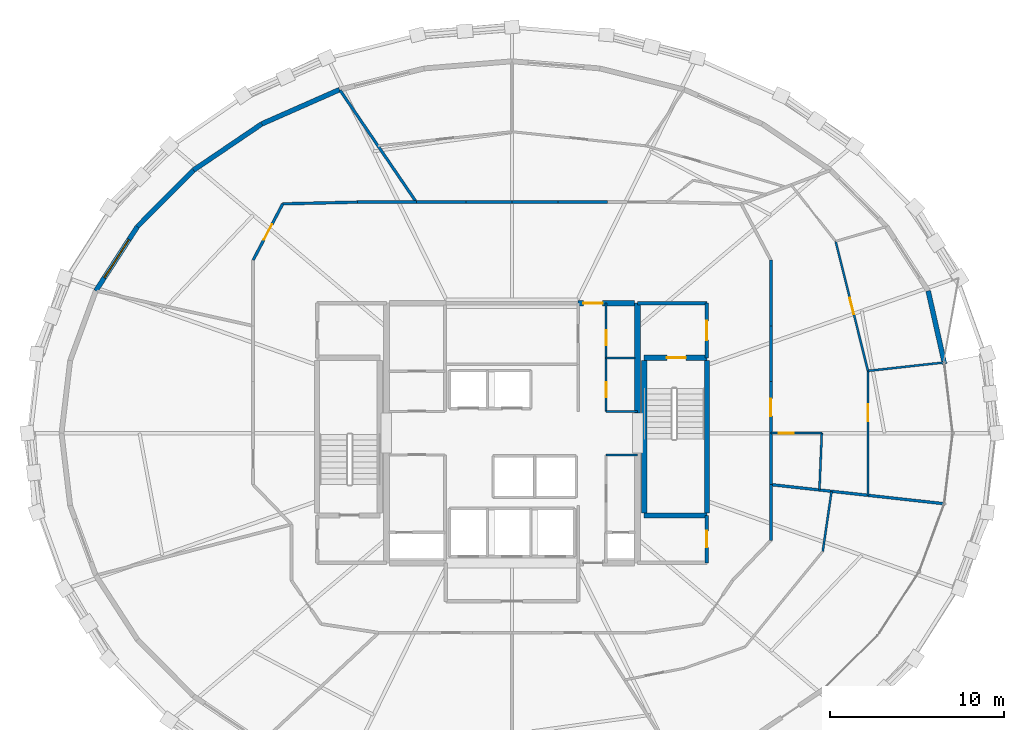
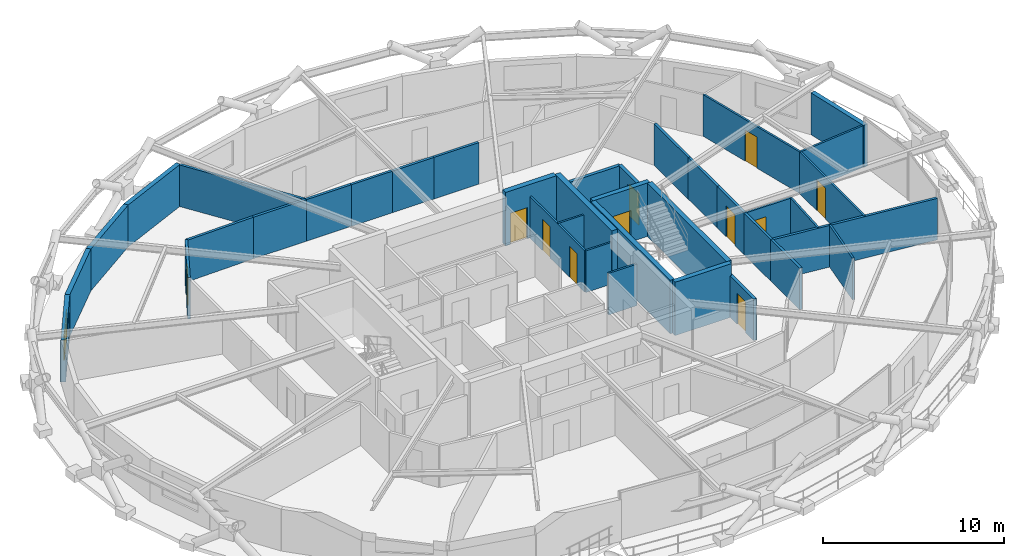
# One storey, part 15 of 17: 38 walls, 11 doors, 1 window, 12 openings.
"""IFC4 building model written with IfcOpenShell, lengths in metres."""

import ifcopenshell
import ifcopenshell.guid

model = None  # the IFC model being written
_history = None  # IfcOwnerHistory: only IFC2X3 demands one
_inside = {}  # id of a spatial element -> (the spatial element, [elements in it])
_under = {}  # id of a project, library or spatial element -> (it, [spatial elements below it])
_declared = {}  # id of a project -> (the project, [libraries it declares])
_typed = {}  # id of a type object -> (the type object, [elements of that type])
_made_of = {}  # id of a material, layer set ... -> (it, [elements and type objects made of it])


def new_model(schema):
    """Start an empty IFC model of exactly this schema.

    Asked for "IFC4X3", IfcOpenShell would pick the latest addendum, in which some entities
    have other attributes; the version numbers below select the first issue.
    IFC2X3 requires an IfcOwnerHistory on every rooted entity: one is made here for all.
    """
    global model, _history
    if schema == "IFC4X3":
        model = ifcopenshell.file(schema_version=(4, 3, 0, 0))
    else:
        model = ifcopenshell.file(schema=schema)
    _inside.clear()
    _under.clear()
    _declared.clear()
    _typed.clear()
    _made_of.clear()
    _history = None
    if model.schema == "IFC2X3":
        org = make("IfcOrganization", Name="unknown")
        user = make(
            "IfcPersonAndOrganization",
            ThePerson=make("IfcPerson", FamilyName="unknown"),
            TheOrganization=org,
        )
        app = make(
            "IfcApplication",
            ApplicationDeveloper=org,
            Version="unknown",
            ApplicationFullName="unknown",
            ApplicationIdentifier="unknown",
        )
        _history = make(
            "IfcOwnerHistory",
            OwningUser=user,
            OwningApplication=app,
            ChangeAction="ADDED",
            CreationDate=0,
        )
    return model


def make(cls, **values):
    """One entity of the class cls with the attributes given. An attribute that is None is left unset."""
    return model.create_entity(
        cls, **{name: value for name, value in values.items() if value is not None}
    )


def rooted(cls, **values):
    """An entity with a GlobalId (a new one), such as an element, a storey or a relation."""
    return make(cls, GlobalId=ifcopenshell.guid.new(), OwnerHistory=_history, **values)


def si_unit(unit_type, name, prefix=None):
    """IfcSIUnit, for example si_unit("LENGTHUNIT", "METRE", prefix="MILLI")."""
    return make("IfcSIUnit", UnitType=unit_type, Prefix=prefix, Name=name)


def assignment(units):
    """IfcUnitAssignment: the units of a project."""
    return None if units is None else make("IfcUnitAssignment", Units=units)


def point(xyz):
    """IfcCartesianPoint."""
    return None if xyz is None else make("IfcCartesianPoint", Coordinates=xyz)


def direction(xyz):
    """IfcDirection."""
    return None if xyz is None else make("IfcDirection", DirectionRatios=xyz)


def frame(location, z_axis=None, x_axis=None):
    """IfcAxis2Placement3D, a coordinate frame: its origin and axes. An axis left out is left unset."""
    return make(
        "IfcAxis2Placement3D",
        Location=point(location),
        Axis=direction(z_axis),
        RefDirection=direction(x_axis),
    )


def frame_2d(location, x_axis=None):
    """IfcAxis2Placement2D, a coordinate frame in the plane: its origin and x axis."""
    return make(
        "IfcAxis2Placement2D", Location=point(location), RefDirection=direction(x_axis)
    )


def origin():
    """The frame at (0, 0, 0) with its axes left unset."""
    return frame((0.0, 0.0, 0.0))


def place(relative_to, where):
    """IfcLocalPlacement: puts the frame where relative to a parent placement (None: the world)."""
    return make(
        "IfcLocalPlacement", PlacementRelTo=relative_to, RelativePlacement=where
    )


def context(
    kind, dimensions, precision=None, world=None, true_north=None, identifier=None
):
    """IfcGeometricRepresentationContext, for example the 3D "Model" context."""
    return make(
        "IfcGeometricRepresentationContext",
        ContextIdentifier=identifier,
        ContextType=kind,
        CoordinateSpaceDimension=dimensions,
        Precision=precision,
        WorldCoordinateSystem=world,
        TrueNorth=true_north,
    )


def subcontext(parent, identifier, kind, view, scale=None):
    """IfcGeometricRepresentationSubContext, for example "Body" below "Model"."""
    return make(
        "IfcGeometricRepresentationSubContext",
        ContextIdentifier=identifier,
        ContextType=kind,
        ParentContext=parent,
        TargetScale=scale,
        TargetView=view,
    )


def project(units=None, contexts=None):
    """IfcProject with its units and contexts."""
    return rooted(
        "IfcProject",
        Name="project",
        RepresentationContexts=contexts,
        UnitsInContext=assignment(units),
    )


def spatial(cls, under=None, at=None, **own):
    """A site, building, storey or space (cls), placed at a placement, below another one or the project."""
    s = rooted(cls, ObjectPlacement=at, **own)
    if under is not None:
        _under.setdefault(under.id(), (under, []))[1].append(s)
    return s


def profile(cls, at=None, kind="AREA", **sizes):
    """A parametric profile (cls). Its sizes go by their IFC names, for example OverallWidth=200.0."""
    return make(cls, ProfileType=kind, Position=at, **sizes)


def rectangle(**sizes):
    """IfcRectangleProfileDef."""
    return profile("IfcRectangleProfileDef", **sizes)


def extrude(swept, where, along, depth):
    """IfcExtrudedAreaSolid: the profile swept, set in the frame where, extruded along a direction by depth."""
    return make(
        "IfcExtrudedAreaSolid",
        SweptArea=swept,
        Position=where,
        ExtrudedDirection=direction(along),
        Depth=depth,
    )


def shape(context_of_items, identifier, shape_type, items):
    """IfcShapeRepresentation: the items that make up one representation, for example the "Body"."""
    return make(
        "IfcShapeRepresentation",
        ContextOfItems=context_of_items,
        RepresentationIdentifier=identifier,
        RepresentationType=shape_type,
        Items=items,
    )


def material(Name=None, Category=None):
    """IfcMaterial."""
    return make("IfcMaterial", Name=Name, Category=Category)


def layer(
    of_material, thickness, ventilated=None, Name=None, Category=None, Priority=None
):
    """IfcMaterialLayer: one layer of a wall or slab, of a material (None: an air gap)."""
    return make(
        "IfcMaterialLayer",
        Material=of_material,
        LayerThickness=thickness,
        IsVentilated=ventilated,
        Name=Name,
        Category=Category,
        Priority=Priority,
    )


def layer_set(layers, Name=None):
    """IfcMaterialLayerSet."""
    return make("IfcMaterialLayerSet", MaterialLayers=layers, LayerSetName=Name)


def made_of(thing, what):
    """Note that an element or type object is made of a material, layer set ...; save() writes the relation."""
    if what is not None:
        _made_of.setdefault(what.id(), (what, []))[1].append(thing)
    return thing


def type_object(cls, material=None, **own):
    """A type object (cls), such as IfcWallType, which elements share."""
    return made_of(rooted(cls, **own), material)


def element(
    cls,
    number,
    at=None,
    inside=None,
    cuts=None,
    type_object=None,
    material=None,
    context=None,
    identifier="Body",
    shape_type=None,
    held_by="IfcProductDefinitionShape",
    body=None,
    shapes=None,
    **own,
):
    """One element of the class cls, such as IfcWall. Its Tag is "e" and its number.

    at: its placement. inside: the storey or other place that contains it. cuts: it is an
    opening in that element (IfcRelVoidsElement). A single representation is given by context,
    identifier, shape_type and body (its items); several are given by shapes. held_by: the class
    of the entity that holds the representations. save() writes the other relations.
    """
    e = rooted(cls, Tag="e%d" % number, ObjectPlacement=at, **own)
    if body is not None:
        shapes = [shape(context, identifier, shape_type, body)]
    if shapes is not None:
        e.Representation = make(held_by, Representations=shapes)
    if inside is not None:
        _inside.setdefault(inside.id(), (inside, []))[1].append(e)
    if cuts is not None:
        rooted(
            "IfcRelVoidsElement", RelatingBuildingElement=cuts, RelatedOpeningElement=e
        )
    if type_object is not None:
        _typed.setdefault(type_object.id(), (type_object, []))[1].append(e)
    return made_of(e, material)


def fill(opening, filler):
    """IfcRelFillsElement: the door or window that sits in an opening."""
    return rooted(
        "IfcRelFillsElement",
        RelatingOpeningElement=opening,
        RelatedBuildingElement=filler,
    )


def aggregate(whole, parts):
    """IfcRelAggregates: a whole, such as a stair, and the parts it consists of."""
    return rooted("IfcRelAggregates", RelatingObject=whole, RelatedObjects=parts)


def save(model, path):
    """Write the relations noted so far, then the file.

    IfcRelAggregates (storeys below a building ...), IfcRelContainedInSpatialStructure (elements
    in a storey), IfcRelDefinesByType, IfcRelAssociatesMaterial and IfcRelDeclares: one each for
    every whole, place, type object, material and project.
    """
    for whole, parts in _under.values():
        aggregate(whole, parts)
    for where, things in _inside.values():
        rooted(
            "IfcRelContainedInSpatialStructure",
            RelatedElements=things,
            RelatingStructure=where,
        )
    for kind, things in _typed.values():
        rooted("IfcRelDefinesByType", RelatedObjects=things, RelatingType=kind)
    for what, things in _made_of.values():
        rooted("IfcRelAssociatesMaterial", RelatedObjects=things, RelatingMaterial=what)
    for by, libraries in _declared.values():
        rooted("IfcRelDeclares", RelatingContext=by, RelatedDefinitions=libraries)
    model.write(path)


model = new_model("IFC4")

# Units and contexts
model_context = context("Model", 3, precision=1e-05, world=origin(), true_north=direction((0.0, 1.0)))
body_context = subcontext(model_context, "Body", "Model", "MODEL_VIEW")
ifc_project = project(units=[si_unit("LENGTHUNIT", "METRE"), si_unit("AREAUNIT", "SQUARE_METRE"), si_unit("VOLUMEUNIT", "CUBIC_METRE"), si_unit("PLANEANGLEUNIT", "RADIAN"), si_unit("MASSUNIT", "GRAM", prefix="KILO")], contexts=[model_context])

# Site, building, storey
site_placement = place(None, origin())
site = spatial("IfcSite", under=ifc_project, at=site_placement, CompositionType="ELEMENT")
building_placement = place(site_placement, origin())
building = spatial("IfcBuilding", under=site, at=building_placement, Name="Veldorina Hangang Commons", CompositionType="ELEMENT")
storey_placement = place(building_placement, frame((0.0, 0.0, 178.39990234375)))
storey = spatial("IfcBuildingStorey", under=building, at=storey_placement, Name="L46", CompositionType="ELEMENT", Elevation=178.39990234375)

# Wall
ifc_material_1 = material(Name="Concrete C60/75", Category="concrete")
ifc_layer_1 = layer(ifc_material_1, 0.340087890625)
ifc_layer_set_1 = layer_set([ifc_layer_1], Name="Concrete C60/75")
wall_type_1 = type_object("IfcWallType", Name="CW-RC340-C60", PredefinedType="SHEAR", material=ifc_layer_set_1)
wall_1_placement = place(storey_placement, frame((39.199951171875, 25.14990234375, 0.0), z_axis=(0.0, 0.0, 1.0), x_axis=(0.0, 1.0, 0.0)))
element("IfcWall", 1, at=wall_1_placement, inside=storey, type_object=wall_type_1, Name="L46 E north core shear wall", PredefinedType="SHEAR", context=body_context, shape_type="SweptSolid", body=[
    extrude(rectangle(XDim=6.300048828125, YDim=0.340087890625, at=frame_2d((3.14990234375, 0.0))), origin(), (0.0, 0.0, 1.0), 3.60009765625),
])

# Wall, opening, door
wall_2_placement = place(storey_placement, frame((35.800048828125, 31.449951171875, 0.0), z_axis=(0.0, 0.0, 1.0), x_axis=(1.0, 0.0, 0.0)))
wall_2 = element("IfcWall", 2, at=wall_2_placement, inside=storey, type_object=wall_type_1, Name="L46 north-east core shear wall", PredefinedType="SHEAR", context=body_context, shape_type="SweptSolid", body=[
    extrude(rectangle(XDim=3.22998046875, YDim=0.340087890625, at=frame_2d((1.614990234375, 0.0))), origin(), (0.0, 0.0, 1.0), 3.60009765625),
])
opening_1_placement = place(wall_2_placement, frame((0.300048828125, 0.0, 0.0)))
opening_1 = element("IfcOpeningElement", 3, at=opening_1_placement, cuts=wall_2, Name="Opening D-08", PredefinedType="OPENING", context=body_context, shape_type="SweptSolid", body=[
    extrude(rectangle(XDim=1.10009765625, YDim=2.10009765625, at=frame_2d((0.550048828125, 1.050048828125))), frame((0.0, 0.18017578125, 0.0), z_axis=(0.0, -1.0, 0.0), x_axis=(1.0, 0.0, 0.0)), (0.0, 0.0, 1.0), 0.360107421875),
])
ifc_material_2 = material(Name="Steel Fire-Rated Smoke Seal", Category="steel")
door_type_1 = type_object("IfcDoorType", Name="DR-FIRE-1100", OperationType="SINGLE_SWING_RIGHT", PredefinedType="DOOR", material=ifc_material_2)
door_1_placement = place(opening_1_placement, origin())
door_1 = element("IfcDoor", 4, at=door_1_placement, inside=storey, type_object=door_type_1, Name="L46 central lift lobby north corridor door", OperationType="SINGLE_SWING_LEFT", OverallHeight=2.10009765625, OverallWidth=1.10009765625, PredefinedType="DOOR", context=body_context, shape_type="SweptSolid", body=[
    extrude(rectangle(XDim=1.10009765625, YDim=2.10009765625, at=frame_2d((0.550048828125, 1.050048828125))), frame((0.0, 0.02490234375, 0.0), z_axis=(0.0, -1.0, 0.0), x_axis=(1.0, 0.0, 0.0)), (0.0, 0.0, 1.0), 0.050048828125),
])
fill(opening_1, door_1)

# Walls
ifc_material_3 = material(Name="Stone Roman Travertine", Category="masonry")
ifc_layer_2 = layer(ifc_material_3, 0.280029296875)
ifc_layer_set_2 = layer_set([ifc_layer_2], Name="Stone Roman Travertine")
wall_type_2 = type_object("IfcWallType", Name="EW-TRAV-280", PredefinedType="STANDARD", material=ifc_layer_set_2)
wall_3_placement = place(storey_placement, frame((56.81396484375, 27.9619140625, 0.0), z_axis=(0.0, 0.0, 1.0), x_axis=(-0.218719837565, 0.975787698557, 0.0)))
element("IfcWall", 5, at=wall_3_placement, inside=storey, type_object=wall_type_2, Name="L46 travertine facade wall 01", PredefinedType="STANDARD", context=body_context, shape_type="SweptSolid", body=[
    extrude(rectangle(XDim=4.30419921875, YDim=0.280029296875, at=frame_2d((2.152099609375, 0.0))), origin(), (0.0, 0.0, 1.0), 2.820068359375),
])
wall_4_placement = place(storey_placement, frame((22.11181640625, 43.704345703125, 0.0), z_axis=(0.0, 0.0, 1.0), x_axis=(-0.914919430765, -0.40363651372, 0.0)))
element("IfcWall", 6, at=wall_4_placement, inside=storey, type_object=wall_type_2, Name="L46 travertine facade wall 10", PredefinedType="STANDARD", context=body_context, shape_type="SweptSolid", body=[
    extrude(rectangle(XDim=4.883056640625, YDim=0.280029296875, at=frame_2d((2.44140625, 0.0))), origin(), (0.0, 0.0, 1.0), 2.820068359375),
])
wall_5_placement = place(storey_placement, frame((17.644287109375, 41.7333984375, 0.0), z_axis=(0.0, 0.0, 1.0), x_axis=(-0.827929515697, -0.560832164767, 0.0)))
element("IfcWall", 7, at=wall_5_placement, inside=storey, type_object=wall_type_2, Name="L46 travertine facade wall 11", PredefinedType="STANDARD", context=body_context, shape_type="SweptSolid", body=[
    extrude(rectangle(XDim=4.729248046875, YDim=0.280029296875, at=frame_2d((2.36474609375, 0.0))), origin(), (0.0, 0.0, 1.0), 2.820068359375),
])
wall_6_placement = place(storey_placement, frame((13.728759765625, 39.0810546875, 0.0), z_axis=(0.0, 0.0, 1.0), x_axis=(-0.705095186085, -0.709112669862, 0.0)))
element("IfcWall", 8, at=wall_6_placement, inside=storey, type_object=wall_type_2, Name="L46 travertine facade wall 12", PredefinedType="STANDARD", context=body_context, shape_type="SweptSolid", body=[
    extrude(rectangle(XDim=4.5576171875, YDim=0.280029296875, at=frame_2d((2.27880859375, 0.0))), origin(), (0.0, 0.0, 1.0), 2.820068359375),
])

# Wall, opening, window
wall_7_placement = place(storey_placement, frame((10.51513671875, 35.84912109375, 0.0), z_axis=(0.0, 0.0, 1.0), x_axis=(-0.543543905956, -0.839380737388, 0.0)))
wall_7 = element("IfcWall", 9, at=wall_7_placement, inside=storey, type_object=wall_type_2, Name="L46 travertine facade wall 13", PredefinedType="STANDARD", context=body_context, shape_type="SweptSolid", body=[
    extrude(rectangle(XDim=4.392822265625, YDim=0.280029296875, at=frame_2d((2.1962890625, 0.0))), origin(), (0.0, 0.0, 1.0), 2.820068359375),
])
opening_2_placement = place(wall_7_placement, frame((0.896484375, 0.0, 0.800048828125)))
opening_2 = element("IfcOpeningElement", 10, at=opening_2_placement, cuts=wall_7, Name="Opening W-02", PredefinedType="OPENING", context=body_context, shape_type="SweptSolid", body=[
    extrude(rectangle(XDim=2.60009765625, YDim=1.64990234375, at=frame_2d((1.300048828125, 0.824951171875))), frame((0.0, 0.14990234375, 0.0), z_axis=(0.0, -1.0, 0.0), x_axis=(1.0, 0.0, 0.0)), (0.0, 0.0, 1.0), 0.300048828125),
])
ifc_material_4 = material(Name="Glass Low-E Triple IGU", Category="glass")
window_type = type_object("IfcWindowType", Name="WIN-TWR-2600", PartitioningType="SINGLE_PANEL", PredefinedType="WINDOW", material=ifc_material_4)
window_placement = place(opening_2_placement, origin())
window = element("IfcWindow", 11, at=window_placement, inside=storey, type_object=window_type, Name="L46 facade window 13", OverallHeight=1.64990234375, OverallWidth=2.60009765625, PartitioningType="SINGLE_PANEL", PredefinedType="WINDOW", context=body_context, shape_type="SweptSolid", body=[
    extrude(rectangle(XDim=2.60009765625, YDim=1.64990234375, at=frame_2d((1.300048828125, 0.824951171875))), frame((0.0, 0.030029296875, 0.0), z_axis=(0.0, -1.0, 0.0), x_axis=(1.0, 0.0, 0.0)), (0.0, 0.0, 1.0), 0.06005859375),
])
fill(opening_2, window)

# Walls
ifc_material_5 = material(Name="Concrete C50/60", Category="concrete")
ifc_layer_3 = layer(ifc_material_5, 0.300048828125)
ifc_layer_set_3 = layer_set([ifc_layer_3], Name="Concrete C50/60")
wall_type_3 = type_object("IfcWallType", Name="SW-STAIR-300", PredefinedType="SHEAR", material=ifc_layer_set_3)
for number, where, z_axis, x_axis, name in (
    (12, (43.179931640625, 19.429931640625, 0.0), (0.0, 0.0, 1.0), (0.0, 1.0, 0.0), "L46 ST2 outer stair shear wall"),
    (13, (39.580078125, 19.429931640625, 0.0), (0.0, 0.0, 1.0), (0.0, 1.0, 0.0), "L46 ST2 inner stair shear wall"),
):
    element("IfcWall", number, at=place(storey_placement, frame(where, z_axis=z_axis, x_axis=x_axis)), inside=storey, type_object=wall_type_3, Name=name, PredefinedType="SHEAR", context=body_context, shape_type="SweptSolid", body=[
        extrude(rectangle(XDim=8.739990234375, YDim=0.300048828125, at=frame_2d((4.3701171875, 0.0))), origin(), (0.0, 0.0, 1.0), 3.60009765625),
    ])
wall_8_placement = place(storey_placement, frame((39.580078125, 19.280029296875, 0.0), z_axis=(0.0, 0.0, 1.0), x_axis=(1.0, 0.0, 0.0)))
element("IfcWall", 14, at=wall_8_placement, inside=storey, type_object=wall_type_3, Name="L46 ST2 south stair shear wall", PredefinedType="SHEAR", context=body_context, shape_type="SweptSolid", body=[
    extrude(rectangle(XDim=3.599853515625, YDim=0.300048828125, at=frame_2d((1.7998046875, 0.0))), origin(), (0.0, 0.0, 1.0), 3.60009765625),
])

# Wall, opening, door
wall_9_placement = place(storey_placement, frame((39.580078125, 28.320068359375, 0.0), z_axis=(0.0, 0.0, 1.0), x_axis=(1.0, 0.0, 0.0)))
wall_9 = element("IfcWall", 15, at=wall_9_placement, inside=storey, type_object=wall_type_3, Name="L46 ST2 north stair shear wall", PredefinedType="SHEAR", context=body_context, shape_type="SweptSolid", body=[
    extrude(rectangle(XDim=3.599853515625, YDim=0.300048828125, at=frame_2d((1.7998046875, 0.0))), origin(), (0.0, 0.0, 1.0), 3.60009765625),
])
opening_3_placement = place(wall_9_placement, frame((1.300048828125, 0.0, 0.0)))
opening_3 = element("IfcOpeningElement", 16, at=opening_3_placement, cuts=wall_9, Name="Opening D-08", PredefinedType="OPENING", context=body_context, shape_type="SweptSolid", body=[
    extrude(rectangle(XDim=1.10009765625, YDim=2.10009765625, at=frame_2d((0.550048828125, 1.050048828125))), frame((0.0, 0.16015625, 0.0), z_axis=(0.0, -1.0, 0.0), x_axis=(1.0, 0.0, 0.0)), (0.0, 0.0, 1.0), 0.320068359375),
])
door_2_placement = place(opening_3_placement, origin())
door_2 = element("IfcDoor", 17, at=door_2_placement, inside=storey, type_object=door_type_1, Name="L46 Special Escape Stair ST-2 door", OperationType="SINGLE_SWING_RIGHT", OverallHeight=2.10009765625, OverallWidth=1.10009765625, PredefinedType="DOOR", context=body_context, shape_type="SweptSolid", body=[
    extrude(rectangle(XDim=1.10009765625, YDim=2.10009765625, at=frame_2d((0.550048828125, 1.050048828125))), frame((0.0, 0.02490234375, 0.0), z_axis=(0.0, -1.0, 0.0), x_axis=(1.0, 0.0, 0.0)), (0.0, 0.0, 1.0), 0.050048828125),
])
fill(opening_3, door_2)

ifc_material_6 = material(Name="Gypsum Fire-Rated Twin Stud Wall", Category="gypsum")
ifc_layer_4 = layer(ifc_material_6, 0.159912109375)
ifc_layer_set_4 = layer_set([ifc_layer_4], Name="Gypsum Fire-Rated Twin Stud Wall")
wall_type_4 = type_object("IfcWallType", Name="WL-FIRE-160", PredefinedType="SOLIDWALL", material=ifc_layer_set_4)
wall_10_placement = place(storey_placement, frame((46.85009765625, 24.0, 0.0), z_axis=(0.0, 0.0, 1.0), x_axis=(0.0, 1.0, 0.0)))
wall_10 = element("IfcWall", 18, at=wall_10_placement, inside=storey, type_object=wall_type_4, Name="L46 U-corridor outer wall 00 046", PredefinedType="SOLIDWALL", context=body_context, shape_type="SweptSolid", body=[
    extrude(rectangle(XDim=2.953857421875, YDim=0.159912109375, at=frame_2d((1.47705078125, 0.0))), origin(), (0.0, 0.0, 1.0), 2.800048828125),
])
opening_4_placement = place(wall_10_placement, frame((0.976806640625, 0.0, 0.0)))
opening_4 = element("IfcOpeningElement", 19, at=opening_4_placement, cuts=wall_10, Name="Opening D-06", PredefinedType="OPENING", context=body_context, shape_type="SweptSolid", body=[
    extrude(rectangle(XDim=1.0, YDim=2.10009765625, at=frame_2d((0.5, 1.050048828125))), frame((0.0, 0.08984375, 0.0), z_axis=(0.0, -1.0, 0.0), x_axis=(1.0, 0.0, 0.0)), (0.0, 0.0, 1.0), 0.179931640625),
])
ifc_material_7 = material(Name="Timber Fire-Rated Entrance Core", Category="wood")
door_type_2 = type_object("IfcDoorType", Name="DR-UNIT-1000", OperationType="SINGLE_SWING_LEFT", PredefinedType="DOOR", material=ifc_material_7)
door_3_placement = place(opening_4_placement, origin())
door_3 = element("IfcDoor", 20, at=door_3_placement, inside=storey, type_object=door_type_2, Name="L46 Cluster 2 entrance door 023", OperationType="SINGLE_SWING_LEFT", OverallHeight=2.10009765625, OverallWidth=1.0, PredefinedType="DOOR", context=body_context, shape_type="SweptSolid", body=[
    extrude(rectangle(XDim=1.0, YDim=2.10009765625, at=frame_2d((0.5, 1.050048828125))), frame((0.0, 0.02490234375, 0.0), z_axis=(0.0, -1.0, 0.0), x_axis=(1.0, 0.0, 0.0)), (0.0, 0.0, 1.0), 0.050048828125),
])
fill(opening_4, door_3)

# Walls
wall_11_placement = place(storey_placement, frame((46.85009765625, 26.953857421875, 0.0), z_axis=(0.0, 0.0, 1.0), x_axis=(0.0, 1.0, 0.0)))
element("IfcWall", 21, at=wall_11_placement, inside=storey, type_object=wall_type_4, Name="L46 U-corridor outer wall 01 047", PredefinedType="SOLIDWALL", context=body_context, shape_type="SweptSolid", body=[
    extrude(rectangle(XDim=3.197265625, YDim=0.159912109375, at=frame_2d((1.5986328125, 0.0))), origin(), (0.0, 0.0, 1.0), 2.800048828125),
])
wall_12_placement = place(storey_placement, frame((46.85009765625, 30.151123046875, 0.0), z_axis=(0.0, 0.0, 1.0), x_axis=(0.0, 1.0, 0.0)))
element("IfcWall", 22, at=wall_12_placement, inside=storey, type_object=wall_type_4, Name="L46 U-corridor outer wall 02 048", PredefinedType="SOLIDWALL", context=body_context, shape_type="SweptSolid", body=[
    extrude(rectangle(XDim=3.771484375, YDim=0.159912109375, at=frame_2d((1.8857421875, 0.0))), origin(), (0.0, 0.0, 1.0), 2.800048828125),
])
wall_13_placement = place(storey_placement, frame((37.48828125, 37.25, 0.0), z_axis=(0.0, 0.0, 1.0), x_axis=(-1.0, 0.0, 0.0)))
element("IfcWall", 23, at=wall_13_placement, inside=storey, type_object=wall_type_4, Name="L46 U-corridor outer wall 06 052", PredefinedType="SOLIDWALL", context=body_context, shape_type="SweptSolid", body=[
    extrude(rectangle(XDim=2.852783203125, YDim=0.159912109375, at=frame_2d((1.42626953125, 0.0))), origin(), (0.0, 0.0, 1.0), 2.800048828125),
])
for number, where, z_axis, x_axis, name in (
    (24, (34.635498046875, 37.25, 0.0), (0.0, 0.0, 1.0), (-1.0, 0.0, 0.0), "L46 U-corridor outer wall 07 053"),
    (25, (32.0, 37.25, 0.0), (0.0, 0.0, 1.0), (-1.0, 0.0, 0.0), "L46 U-corridor outer wall 08 054"),
):
    element("IfcWall", number, at=place(storey_placement, frame(where, z_axis=z_axis, x_axis=x_axis)), inside=storey, type_object=wall_type_4, Name=name, PredefinedType="SOLIDWALL", context=body_context, shape_type="SweptSolid", body=[
        extrude(rectangle(XDim=2.635498046875, YDim=0.159912109375, at=frame_2d((1.31787109375, 0.0))), origin(), (0.0, 0.0, 1.0), 2.800048828125),
    ])
wall_14_placement = place(storey_placement, frame((29.364501953125, 37.25, 0.0), z_axis=(0.0, 0.0, 1.0), x_axis=(-1.0, 0.0, 0.0)))
element("IfcWall", 26, at=wall_14_placement, inside=storey, type_object=wall_type_4, Name="L46 U-corridor outer wall 09 055", PredefinedType="SOLIDWALL", context=body_context, shape_type="SweptSolid", body=[
    extrude(rectangle(XDim=2.852783203125, YDim=0.159912109375, at=frame_2d((1.42626953125, 0.0))), origin(), (0.0, 0.0, 1.0), 2.800048828125),
])
wall_15_placement = place(storey_placement, frame((26.51171875, 37.25, 0.0), z_axis=(0.0, 0.0, 1.0), x_axis=(-1.0, 0.0, 0.0)))
element("IfcWall", 27, at=wall_15_placement, inside=storey, type_object=wall_type_4, Name="L46 U-corridor outer wall 10 056", PredefinedType="SOLIDWALL", context=body_context, shape_type="SweptSolid", body=[
    extrude(rectangle(XDim=3.365234375, YDim=0.159912109375, at=frame_2d((1.6826171875, 0.0))), origin(), (0.0, 0.0, 1.0), 2.800048828125),
])
wall_16_placement = place(storey_placement, frame((23.146484375, 37.25, 0.0), z_axis=(0.0, 0.0, 1.0), x_axis=(-0.999728709658, -0.023291781507, 0.0)))
element("IfcWall", 28, at=wall_16_placement, inside=storey, type_object=wall_type_4, Name="L46 U-corridor outer wall 11 057", PredefinedType="SOLIDWALL", context=body_context, shape_type="SweptSolid", body=[
    extrude(rectangle(XDim=4.297607421875, YDim=0.159912109375, at=frame_2d((2.14892578125, 0.0))), origin(), (0.0, 0.0, 1.0), 2.800048828125),
])

# Wall, opening, door
wall_17_placement = place(storey_placement, frame((18.85009765625, 37.14990234375, 0.0), z_axis=(0.0, 0.0, 1.0), x_axis=(-0.466093963429, -0.884735224378, 0.0)))
wall_17 = element("IfcWall", 29, at=wall_17_placement, inside=storey, type_object=wall_type_4, Name="L46 U-corridor outer wall 12 058", PredefinedType="SOLIDWALL", context=body_context, shape_type="SweptSolid", body=[
    extrude(rectangle(XDim=3.647705078125, YDim=0.159912109375, at=frame_2d((1.82373046875, 0.0))), origin(), (0.0, 0.0, 1.0), 2.800048828125),
])
opening_5_placement = place(wall_17_placement, frame((1.323974609375, 0.0, 0.0)))
opening_5 = element("IfcOpeningElement", 30, at=opening_5_placement, cuts=wall_17, Name="Opening D-05", PredefinedType="OPENING", context=body_context, shape_type="SweptSolid", body=[
    extrude(rectangle(XDim=1.0, YDim=2.10009765625, at=frame_2d((0.5, 1.050048828125))), frame((0.0, 0.08984375, 0.0), z_axis=(0.0, -1.0, 0.0), x_axis=(1.0, 0.0, 0.0)), (0.0, 0.0, 1.0), 0.179931640625),
])
ifc_material_8 = material(Name="Timber Solid Core Acoustic", Category="wood")
door_type_3 = type_object("IfcDoorType", Name="DR-INT-1000", OperationType="SINGLE_SWING_RIGHT", PredefinedType="DOOR", material=ifc_material_8)
door_4_placement = place(opening_5_placement, origin())
door_4 = element("IfcDoor", 31, at=door_4_placement, inside=storey, type_object=door_type_3, Name="L46 Floor Study Room 4 door 032", OperationType="SINGLE_SWING_RIGHT", OverallHeight=2.10009765625, OverallWidth=1.0, PredefinedType="DOOR", context=body_context, shape_type="SweptSolid", body=[
    extrude(rectangle(XDim=1.0, YDim=2.10009765625, at=frame_2d((0.5, 1.050048828125))), frame((0.0, 0.02490234375, 0.0), z_axis=(0.0, -1.0, 0.0), x_axis=(1.0, 0.0, 0.0)), (0.0, 0.0, 1.0), 0.050048828125),
])
fill(opening_5, door_4)

# Walls
wall_18_placement = place(storey_placement, frame((46.85009765625, 17.848876953125, 0.0), z_axis=(0.0, 0.0, 1.0), x_axis=(0.0, 1.0, 0.0)))
element("IfcWall", 32, at=wall_18_placement, inside=storey, type_object=wall_type_4, Name="L46 U-corridor outer wall 30 076", PredefinedType="SOLIDWALL", context=body_context, shape_type="SweptSolid", body=[
    extrude(rectangle(XDim=3.197265625, YDim=0.159912109375, at=frame_2d((1.5986328125, 0.0))), origin(), (0.0, 0.0, 1.0), 2.800048828125),
])
wall_19_placement = place(storey_placement, frame((46.85009765625, 21.046142578125, 0.0), z_axis=(0.0, 0.0, 1.0), x_axis=(0.0, 1.0, 0.0)))
element("IfcWall", 33, at=wall_19_placement, inside=storey, type_object=wall_type_4, Name="L46 U-corridor outer wall 31 077", PredefinedType="SOLIDWALL", context=body_context, shape_type="SweptSolid", body=[
    extrude(rectangle(XDim=2.953857421875, YDim=0.159912109375, at=frame_2d((1.47705078125, 0.0))), origin(), (0.0, 0.0, 1.0), 2.800048828125),
])
wall_20_placement = place(storey_placement, frame((46.85009765625, 21.046142578125, 0.0), z_axis=(0.0, 0.0, 1.0), x_axis=(0.99396125521, -0.109731595909, 0.0)))
element("IfcWall", 34, at=wall_20_placement, inside=storey, type_object=wall_type_4, Name="L46 Unit party wall 31 084", PredefinedType="SOLIDWALL", context=body_context, shape_type="SweptSolid", body=[
    extrude(rectangle(XDim=9.9541015625, YDim=0.159912109375, at=frame_2d((4.97705078125, 0.0))), origin(), (0.0, 0.0, 1.0), 2.800048828125),
])
wall_21_placement = place(storey_placement, frame((26.51171875, 37.25, 0.0), z_axis=(0.0, 0.0, 1.0), x_axis=(-0.563272403626, 0.826271262548, 0.0)))
element("IfcWall", 35, at=wall_21_placement, inside=storey, type_object=wall_type_4, Name="L46 Unit party wall 10 100", PredefinedType="SOLIDWALL", context=body_context, shape_type="SweptSolid", body=[
    extrude(rectangle(XDim=7.761474609375, YDim=0.159912109375, at=frame_2d((3.880859375, 0.0))), origin(), (0.0, 0.0, 1.0), 2.800048828125),
])

# Wall, opening, door
ifc_material_9 = material(Name="Concrete Blockwork Fire Wall C30/37", Category="masonry")
ifc_layer_5 = layer(ifc_material_9, 0.199951171875)
ifc_layer_set_5 = layer_set([ifc_layer_5], Name="Concrete Blockwork Fire Wall C30/37")
wall_type_5 = type_object("IfcWallType", Name="WL-FIRE-200", PredefinedType="SOLIDWALL", material=ifc_layer_set_5)
wall_22_placement = place(storey_placement, frame((43.179931640625, 28.320068359375, 0.0), z_axis=(0.0, 0.0, 1.0), x_axis=(0.0, 1.0, 0.0)))
wall_22 = element("IfcWall", 36, at=wall_22_placement, inside=storey, type_object=wall_type_5, Name="L46 East vestibule outer wall 003", PredefinedType="SOLIDWALL", context=body_context, shape_type="SweptSolid", body=[
    extrude(rectangle(XDim=3.1298828125, YDim=0.199951171875, at=frame_2d((1.56494140625, 0.0))), origin(), (0.0, 0.0, 1.0), 2.800048828125),
])
opening_6_placement = place(wall_22_placement, frame((1.014892578125, 0.0, 0.0)))
opening_6 = element("IfcOpeningElement", 37, at=opening_6_placement, cuts=wall_22, Name="Opening D-08", PredefinedType="OPENING", context=body_context, shape_type="SweptSolid", body=[
    extrude(rectangle(XDim=1.10009765625, YDim=2.10009765625, at=frame_2d((0.550048828125, 1.050048828125))), frame((0.0, 0.10986328125, 0.0), z_axis=(0.0, -1.0, 0.0), x_axis=(1.0, 0.0, 0.0)), (0.0, 0.0, 1.0), 0.219970703125),
])
door_5_placement = place(opening_6_placement, origin())
door_5 = element("IfcDoor", 38, at=door_5_placement, inside=storey, type_object=door_type_1, Name="L46 East vestibule east door 002", OperationType="SINGLE_SWING_RIGHT", OverallHeight=2.10009765625, OverallWidth=1.10009765625, PredefinedType="DOOR", context=body_context, shape_type="SweptSolid", body=[
    extrude(rectangle(XDim=1.10009765625, YDim=2.10009765625, at=frame_2d((0.550048828125, 1.050048828125))), frame((0.0, 0.02490234375, 0.0), z_axis=(0.0, -1.0, 0.0), x_axis=(1.0, 0.0, 0.0)), (0.0, 0.0, 1.0), 0.050048828125),
])
fill(opening_6, door_5)

# Wall
wall_23_placement = place(storey_placement, frame((39.199951171875, 31.449951171875, 0.0), z_axis=(0.0, 0.0, 1.0), x_axis=(1.0, 0.0, 0.0)))
element("IfcWall", 39, at=wall_23_placement, inside=storey, type_object=wall_type_5, Name="L46 East vestibule north wall 004", PredefinedType="SOLIDWALL", context=body_context, shape_type="SweptSolid", body=[
    extrude(rectangle(XDim=3.97998046875, YDim=0.199951171875, at=frame_2d((1.989990234375, 0.0))), origin(), (0.0, 0.0, 1.0), 2.800048828125),
])

# Wall, opening, door
wall_24_placement = place(storey_placement, frame((43.179931640625, 16.550048828125, 0.0), z_axis=(0.0, 0.0, 1.0), x_axis=(0.0, 1.0, 0.0)))
wall_24 = element("IfcWall", 40, at=wall_24_placement, inside=storey, type_object=wall_type_5, Name="L46 SE core room outer wall 007", PredefinedType="SOLIDWALL", context=body_context, shape_type="SweptSolid", body=[
    extrude(rectangle(XDim=2.72998046875, YDim=0.199951171875, at=frame_2d((1.364990234375, 0.0))), origin(), (0.0, 0.0, 1.0), 2.800048828125),
])
opening_7_placement = place(wall_24_placement, frame((0.889892578125, 0.0, 0.0)))
opening_7 = element("IfcOpeningElement", 41, at=opening_7_placement, cuts=wall_24, Name="Opening D-02", PredefinedType="OPENING", context=body_context, shape_type="SweptSolid", body=[
    extrude(rectangle(XDim=0.949951171875, YDim=2.10009765625, at=frame_2d((0.47509765625, 1.050048828125))), frame((0.0, 0.10986328125, 0.0), z_axis=(0.0, -1.0, 0.0), x_axis=(1.0, 0.0, 0.0)), (0.0, 0.0, 1.0), 0.219970703125),
])
door_type_4 = type_object("IfcDoorType", Name="DR-INT-950", OperationType="SINGLE_SWING_LEFT", PredefinedType="DOOR", material=ifc_material_8)
door_6_placement = place(opening_7_placement, origin())
door_6 = element("IfcDoor", 42, at=door_6_placement, inside=storey, type_object=door_type_4, Name="L46 SE core WC door 004", OperationType="SINGLE_SWING_RIGHT", OverallHeight=2.10009765625, OverallWidth=0.949951171875, PredefinedType="DOOR", context=body_context, shape_type="SweptSolid", body=[
    extrude(rectangle(XDim=0.949951171875, YDim=2.10009765625, at=frame_2d((0.47509765625, 1.050048828125))), frame((0.0, 0.02490234375, 0.0), z_axis=(0.0, -1.0, 0.0), x_axis=(1.0, 0.0, 0.0)), (0.0, 0.0, 1.0), 0.050048828125),
])
fill(opening_7, door_6)

# Wall, openings, doors
ifc_material_10 = material(Name="Gypsum Acoustic Stud Partition", Category="gypsum")
ifc_layer_6 = layer(ifc_material_10, 0.1201171875)
ifc_layer_set_6 = layer_set([ifc_layer_6], Name="Gypsum Acoustic Stud Partition")
wall_type_6 = type_object("IfcWallType", Name="WL-PART-120", PredefinedType="PARTITIONING", material=ifc_layer_set_6)
wall_25_placement = place(storey_placement, frame((37.39990234375, 25.25, 0.0), z_axis=(0.0, 0.0, 1.0), x_axis=(0.0, 1.0, 0.0)))
wall_25 = element("IfcWall", 43, at=wall_25_placement, inside=storey, type_object=wall_type_6, Name="L46 NE strip lobby wall 040", PredefinedType="PARTITIONING", context=body_context, shape_type="SweptSolid", body=[
    extrude(rectangle(XDim=6.199951171875, YDim=0.1201171875, at=frame_2d((3.10009765625, 0.0))), origin(), (0.0, 0.0, 1.0), 2.800048828125),
])
opening_8_placement = place(wall_25_placement, frame((0.800048828125, 0.0, 0.0)))
opening_8 = element("IfcOpeningElement", 44, at=opening_8_placement, cuts=wall_25, Name="Opening D-01", PredefinedType="OPENING", context=body_context, shape_type="SweptSolid", body=[
    extrude(rectangle(XDim=0.860107421875, YDim=2.10009765625, at=frame_2d((0.43017578125, 1.050048828125))), frame((0.0, 0.070068359375, 0.0), z_axis=(0.0, -1.0, 0.0), x_axis=(1.0, 0.0, 0.0)), (0.0, 0.0, 1.0), 0.14013671875),
])
opening_9_placement = place(wall_25_placement, frame((3.800048828125, 0.0, 0.0)))
opening_9 = element("IfcOpeningElement", 45, at=opening_9_placement, cuts=wall_25, Name="Opening D-01", PredefinedType="OPENING", context=body_context, shape_type="SweptSolid", body=[
    extrude(rectangle(XDim=0.860107421875, YDim=2.10009765625, at=frame_2d((0.43017578125, 1.050048828125))), frame((0.0, 0.070068359375, 0.0), z_axis=(0.0, -1.0, 0.0), x_axis=(1.0, 0.0, 0.0)), (0.0, 0.0, 1.0), 0.14013671875),
])
ifc_material_11 = material(Name="Timber Moisture-Resistant Core", Category="wood")
door_type_5 = type_object("IfcDoorType", Name="DR-WET-860", OperationType="SINGLE_SWING_LEFT", PredefinedType="DOOR", material=ifc_material_11)
door_7_placement = place(opening_8_placement, origin())
door_7 = element("IfcDoor", 46, at=door_7_placement, inside=storey, type_object=door_type_5, Name="L46 Electrical closet door 017", OperationType="SINGLE_SWING_LEFT", OverallHeight=2.10009765625, OverallWidth=0.860107421875, PredefinedType="DOOR", context=body_context, shape_type="SweptSolid", body=[
    extrude(rectangle(XDim=0.860107421875, YDim=2.10009765625, at=frame_2d((0.43017578125, 1.050048828125))), frame((0.0, 0.02490234375, 0.0), z_axis=(0.0, -1.0, 0.0), x_axis=(1.0, 0.0, 0.0)), (0.0, 0.0, 1.0), 0.050048828125),
])
fill(opening_8, door_7)
door_8_placement = place(opening_9_placement, origin())
door_8 = element("IfcDoor", 47, at=door_8_placement, inside=storey, type_object=door_type_5, Name="L46 IT closet door 018", OperationType="SINGLE_SWING_RIGHT", OverallHeight=2.10009765625, OverallWidth=0.860107421875, PredefinedType="DOOR", context=body_context, shape_type="SweptSolid", body=[
    extrude(rectangle(XDim=0.860107421875, YDim=2.10009765625, at=frame_2d((0.43017578125, 1.050048828125))), frame((0.0, 0.02490234375, 0.0), z_axis=(0.0, -1.0, 0.0), x_axis=(1.0, 0.0, 0.0)), (0.0, 0.0, 1.0), 0.050048828125),
])
fill(opening_9, door_8)

# Walls
for number, where, z_axis, x_axis, name in (
    (48, (37.39990234375, 25.25, 0.0), (0.0, 0.0, 1.0), (1.0, 0.0, 0.0), "L46 NE strip south return wall 041"),
    (49, (37.39990234375, 22.75, 0.0), (0.0, 0.0, 1.0), (1.0, 0.0, 0.0), "L46 SE strip north return wall 043"),
):
    element("IfcWall", number, at=place(storey_placement, frame(where, z_axis=z_axis, x_axis=x_axis)), inside=storey, type_object=wall_type_6, Name=name, PredefinedType="PARTITIONING", context=body_context, shape_type="SweptSolid", body=[
        extrude(rectangle(XDim=1.800048828125, YDim=0.1201171875, at=frame_2d((0.89990234375, 0.0))), origin(), (0.0, 0.0, 1.0), 2.800048828125),
    ])
wall_26_placement = place(storey_placement, frame((37.39990234375, 28.300048828125, 0.0), z_axis=(0.0, 0.0, 1.0), x_axis=(1.0, 0.0, 0.0)))
element("IfcWall", 50, at=wall_26_placement, inside=storey, type_object=wall_type_6, Name="L46 NE mid wall 045", PredefinedType="PARTITIONING", context=body_context, shape_type="SweptSolid", body=[
    extrude(rectangle(XDim=1.650146484375, YDim=0.1201171875, at=frame_2d((0.8251953125, 0.0))), origin(), (0.0, 0.0, 1.0), 2.800048828125),
])
wall_27_placement = place(storey_placement, frame((49.826904296875, 17.22021484375, 0.0), z_axis=(0.0, 0.0, 1.0), x_axis=(0.144722086216, 0.989472343101, 0.0)))
element("IfcWall", 51, at=wall_27_placement, inside=storey, type_object=wall_type_6, Name="L46 Lounge alcove split 4 083", PredefinedType="PARTITIONING", context=body_context, shape_type="SweptSolid", body=[
    extrude(rectangle(XDim=3.478515625, YDim=0.1201171875, at=frame_2d((1.7392578125, 0.0))), origin(), (0.0, 0.0, 1.0), 2.800048828125),
])
wall_28_placement = place(storey_placement, frame((49.63427734375, 20.73876953125, 0.0), z_axis=(0.0, 0.0, 1.0), x_axis=(0.041661655892, 0.999131776308, 0.0)))
element("IfcWall", 52, at=wall_28_placement, inside=storey, type_object=wall_type_6, Name="L46 Cluster 2 bath front wall 085", PredefinedType="PARTITIONING", context=body_context, shape_type="SweptSolid", body=[
    extrude(rectangle(XDim=3.26416015625, YDim=0.1201171875, at=frame_2d((1.632080078125, 0.0))), origin(), (0.0, 0.0, 1.0), 2.800048828125),
])

# Wall, opening, door
wall_29_placement = place(storey_placement, frame((46.85009765625, 24.0, 0.0), z_axis=(0.0, 0.0, 1.0), x_axis=(1.0, 0.0, 0.0)))
wall_29 = element("IfcWall", 53, at=wall_29_placement, inside=storey, type_object=wall_type_6, Name="L46 Cluster 2 bath side wall 086", PredefinedType="PARTITIONING", context=body_context, shape_type="SweptSolid", body=[
    extrude(rectangle(XDim=2.920166015625, YDim=0.1201171875, at=frame_2d((1.4599609375, 0.0))), origin(), (0.0, 0.0, 1.0), 2.800048828125),
])
opening_10_placement = place(wall_29_placement, frame((0.43994140625, 0.0, 0.0)))
opening_10 = element("IfcOpeningElement", 54, at=opening_10_placement, cuts=wall_29, Name="Opening D-01", PredefinedType="OPENING", context=body_context, shape_type="SweptSolid", body=[
    extrude(rectangle(XDim=0.860107421875, YDim=2.10009765625, at=frame_2d((0.43017578125, 1.050048828125))), frame((0.0, 0.070068359375, 0.0), z_axis=(0.0, -1.0, 0.0), x_axis=(1.0, 0.0, 0.0)), (0.0, 0.0, 1.0), 0.14013671875),
])
door_9_placement = place(opening_10_placement, origin())
door_9 = element("IfcDoor", 55, at=door_9_placement, inside=storey, type_object=door_type_5, Name="L46 Cluster 2 shared bathroom door 022", OperationType="SINGLE_SWING_RIGHT", OverallHeight=2.10009765625, OverallWidth=0.860107421875, PredefinedType="DOOR", context=body_context, shape_type="SweptSolid", body=[
    extrude(rectangle(XDim=0.860107421875, YDim=2.10009765625, at=frame_2d((0.43017578125, 1.050048828125))), frame((0.0, 0.02490234375, 0.0), z_axis=(0.0, -1.0, 0.0), x_axis=(1.0, 0.0, 0.0)), (0.0, 0.0, 1.0), 0.050048828125),
])
fill(opening_10, door_9)

wall_30_placement = place(storey_placement, frame((52.41845703125, 20.431396484375, 0.0), z_axis=(0.0, 0.0, 1.0), x_axis=(0.0, 1.0, 0.0)))
wall_30 = element("IfcWall", 56, at=wall_30_placement, inside=storey, type_object=wall_type_6, Name="L46 Cluster 2 bed 1 front wall 087", PredefinedType="PARTITIONING", context=body_context, shape_type="SweptSolid", body=[
    extrude(rectangle(XDim=7.13720703125, YDim=0.1201171875, at=frame_2d((3.568603515625, 0.0))), origin(), (0.0, 0.0, 1.0), 2.800048828125),
])
opening_11_placement = place(wall_30_placement, frame((4.26123046875, 0.0, 0.0)))
opening_11 = element("IfcOpeningElement", 57, at=opening_11_placement, cuts=wall_30, Name="Opening D-02", PredefinedType="OPENING", context=body_context, shape_type="SweptSolid", body=[
    extrude(rectangle(XDim=0.949951171875, YDim=2.10009765625, at=frame_2d((0.47509765625, 1.050048828125))), frame((0.0, 0.070068359375, 0.0), z_axis=(0.0, -1.0, 0.0), x_axis=(1.0, 0.0, 0.0)), (0.0, 0.0, 1.0), 0.14013671875),
])
door_10_placement = place(opening_11_placement, origin())
door_10 = element("IfcDoor", 58, at=door_10_placement, inside=storey, type_object=door_type_4, Name="L46 Cluster 2 bed 1 door 024", OperationType="SINGLE_SWING_RIGHT", OverallHeight=2.10009765625, OverallWidth=0.949951171875, PredefinedType="DOOR", context=body_context, shape_type="SweptSolid", body=[
    extrude(rectangle(XDim=0.949951171875, YDim=2.10009765625, at=frame_2d((0.47509765625, 1.050048828125))), frame((0.0, 0.02490234375, 0.0), z_axis=(0.0, -1.0, 0.0), x_axis=(1.0, 0.0, 0.0)), (0.0, 0.0, 1.0), 0.050048828125),
])
fill(opening_11, door_10)

wall_31_placement = place(storey_placement, frame((52.41845703125, 27.568603515625, 0.0), z_axis=(0.0, 0.0, 1.0), x_axis=(-0.24189815988, 0.970301643947, 0.0)))
wall_31 = element("IfcWall", 59, at=wall_31_placement, inside=storey, type_object=wall_type_6, Name="L46 Cluster 2 bed 2 front wall 088", PredefinedType="PARTITIONING", context=body_context, shape_type="SweptSolid", body=[
    extrude(rectangle(XDim=7.660400390625, YDim=0.1201171875, at=frame_2d((3.830078125, 0.0))), origin(), (0.0, 0.0, 1.0), 2.800048828125),
])
opening_12_placement = place(wall_31_placement, frame((3.355224609375, 0.0, 0.0)))
opening_12 = element("IfcOpeningElement", 60, at=opening_12_placement, cuts=wall_31, Name="Opening D-02", PredefinedType="OPENING", context=body_context, shape_type="SweptSolid", body=[
    extrude(rectangle(XDim=0.949951171875, YDim=2.10009765625, at=frame_2d((0.47509765625, 1.050048828125))), frame((0.0, 0.070068359375, 0.0), z_axis=(0.0, -1.0, 0.0), x_axis=(1.0, 0.0, 0.0)), (0.0, 0.0, 1.0), 0.14013671875),
])
door_11_placement = place(opening_12_placement, origin())
door_11 = element("IfcDoor", 61, at=door_11_placement, inside=storey, type_object=door_type_4, Name="L46 Cluster 2 bed 2 door 025", OperationType="SINGLE_SWING_LEFT", OverallHeight=2.10009765625, OverallWidth=0.949951171875, PredefinedType="DOOR", context=body_context, shape_type="SweptSolid", body=[
    extrude(rectangle(XDim=0.949951171875, YDim=2.10009765625, at=frame_2d((0.47509765625, 1.050048828125))), frame((0.0, 0.02490234375, 0.0), z_axis=(0.0, -1.0, 0.0), x_axis=(1.0, 0.0, 0.0)), (0.0, 0.0, 1.0), 0.050048828125),
])
fill(opening_12, door_11)

# Wall
wall_32_placement = place(storey_placement, frame((52.41845703125, 27.568603515625, 0.0), z_axis=(0.0, 0.0, 1.0), x_axis=(0.993961478056, 0.109729577327, 0.0)))
element("IfcWall", 62, at=wall_32_placement, inside=storey, type_object=wall_type_6, Name="L46 Cluster 2 bed divider 1 089", PredefinedType="PARTITIONING", context=body_context, shape_type="SweptSolid", body=[
    extrude(rectangle(XDim=4.35205078125, YDim=0.1201171875, at=frame_2d((2.176025390625, 0.0))), origin(), (0.0, 0.0, 1.0), 2.800048828125),
])

save(model, "model.ifc")
